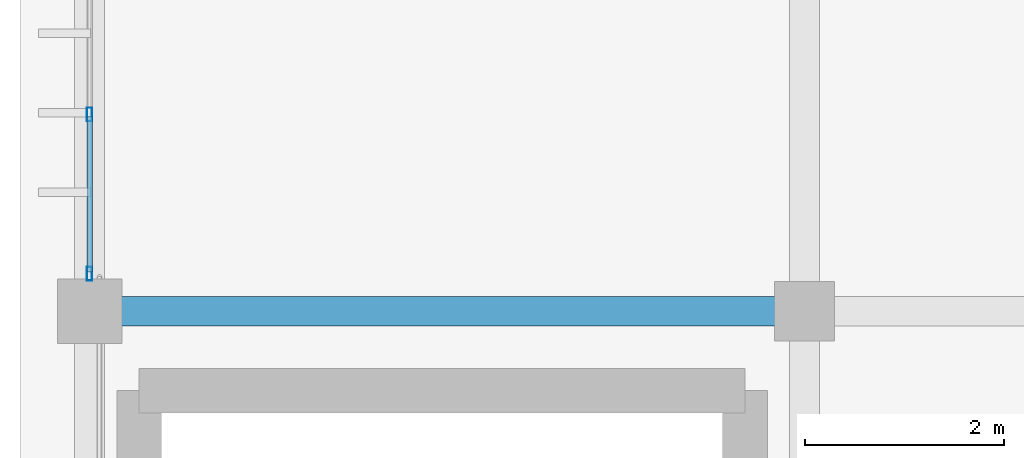
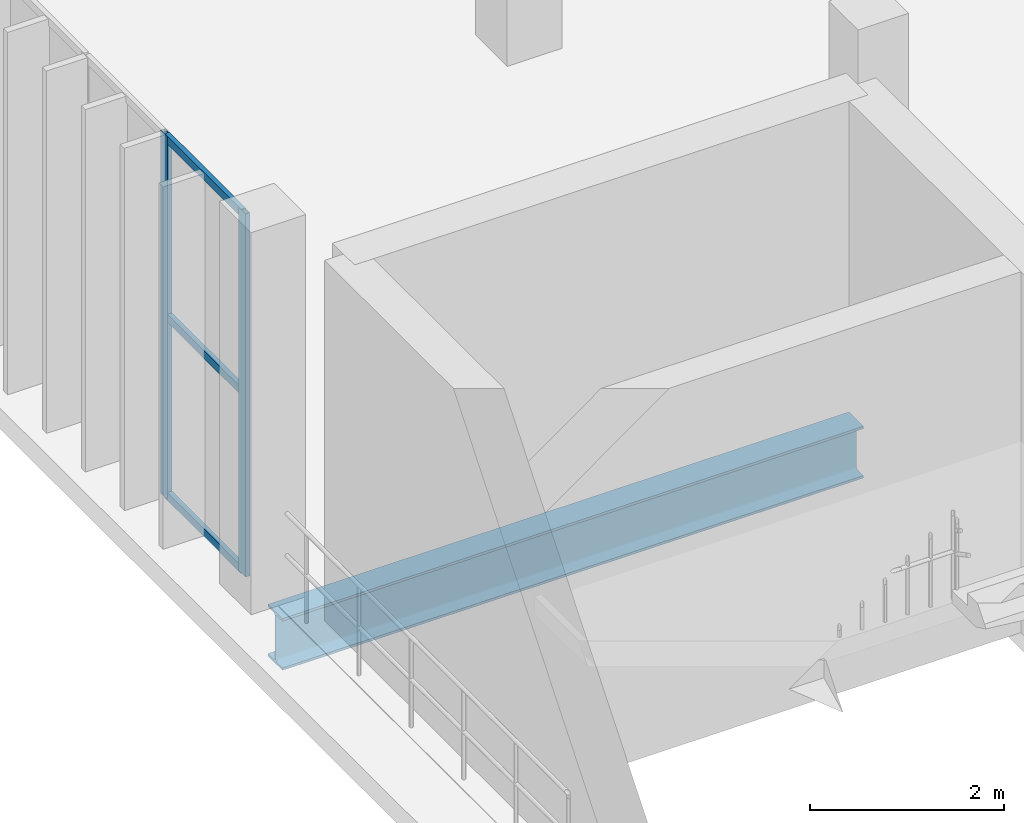
# One storey, part 39 of 105: 5 members, 1 beam, 1 element without a shape of its own.
"""IFC4 building model written with IfcOpenShell, lengths in metres."""

from ifc_helpers import new_model, si_unit, direction, frame, origin, origin_2d, place, context, subcontext, project, spatial, hollow_rectangle, i_section, extrude, material, material_profile, profile_set, type_object, element, aggregate, save


model = new_model("IFC4")

# Units and contexts
model_context = context("Model", 3, precision=1e-05, world=origin(), true_north=direction((0.0, 1.0)))
body_context = subcontext(model_context, "Body", "Model", "MODEL_VIEW")
ifc_project = project(units=[si_unit("LENGTHUNIT", "METRE"), si_unit("AREAUNIT", "SQUARE_METRE"), si_unit("VOLUMEUNIT", "CUBIC_METRE"), si_unit("PLANEANGLEUNIT", "RADIAN"), si_unit("MASSUNIT", "GRAM", prefix="KILO")], contexts=[model_context])

# Site, building, storey
site_placement = place(None, origin())
site = spatial("IfcSite", under=ifc_project, at=site_placement, CompositionType="ELEMENT")
building_placement = place(site_placement, origin())
building = spatial("IfcBuilding", under=site, at=building_placement, Name="Qandorah Velis Arena", CompositionType="ELEMENT")
storey_placement = place(building_placement, frame((0.0, 0.0, 13.800048828125)))
storey = spatial("IfcBuildingStorey", under=building, at=storey_placement, Name="L03", CompositionType="ELEMENT", Elevation=13.800048828125)

# Curtain wall, members
ifc_material_1 = material(Name="Solar-control low-E double glazing", Category="glass")
curtain_wall_type = type_object("IfcCurtainWallType", Name="ARC-CW-SYS04", PredefinedType="USERDEFINED", material=ifc_material_1)
curtain_wall_placement = place(storey_placement, origin())
curtain_wall = element("IfcCurtainWall", 1, at=curtain_wall_placement, inside=storey, type_object=curtain_wall_type, Name="Unitised curtain wall L03-028", ObjectType="UNITISED CURTAIN WALL", PredefinedType="USERDEFINED")
ifc_material_2 = material(Name="Champagne-bronze anodized aluminium 6063-T6", Category="aluminium")
ifc_material_profile_1 = material_profile(ifc_material_2, hollow_rectangle(XDim=0.054931640625, YDim=0.139892578125, WallThickness=0.0029296875, at=origin_2d()), Name="ALU MULLION 55x140")
ifc_profile_set_1 = profile_set([ifc_material_profile_1], Name="Champagne-bronze anodized aluminium 6063-T6")
member_type_1 = type_object("IfcMemberType", Name="ARC-CWM-140", PredefinedType="MULLION", material=ifc_profile_set_1)
member_1_placement = place(storey_placement, frame((0.0, 93.9775390625, -0.01513671875), z_axis=(0.0, 0.0, 1.0), x_axis=(-1.0, 0.0, 0.0)))
member_1 = element("IfcMember", 2, at=member_1_placement, type_object=member_type_1, Name="CW04 mullion 1", PredefinedType="MULLION", context=body_context, shape_type="SweptSolid", body=[
    extrude(hollow_rectangle(XDim=0.054931640625, YDim=0.139892578125, WallThickness=0.0029296875, at=origin_2d()), origin(), (0.0, 0.0, 1.0), 4.56005859375),
])
member_2_placement = place(storey_placement, frame((0.0, 95.581298828125, -0.01513671875), z_axis=(0.0, 0.0, 1.0), x_axis=(-1.0, 0.0, 0.0)))
member_2 = element("IfcMember", 3, at=member_2_placement, type_object=member_type_1, Name="CW04 mullion 2", PredefinedType="MULLION", context=body_context, shape_type="SweptSolid", body=[
    extrude(hollow_rectangle(XDim=0.054931640625, YDim=0.139892578125, WallThickness=0.0029296875, at=origin_2d()), origin(), (0.0, 0.0, 1.0), 4.56005859375),
])
ifc_material_profile_2 = material_profile(ifc_material_2, hollow_rectangle(XDim=0.054931640625, YDim=0.10009765625, WallThickness=0.0029296875, at=origin_2d()), Name="ALU TRANSOM 55x100")
ifc_profile_set_2 = profile_set([ifc_material_profile_2], Name="Champagne-bronze anodized aluminium 6063-T6")
member_type_2 = type_object("IfcMemberType", Name="ARC-CWT-100", PredefinedType="USERDEFINED", material=ifc_profile_set_2)
member_3_placement = place(storey_placement, frame((0.0, 93.992919921875, 0.02734375), z_axis=(0.0, 1.0, 0.0), x_axis=(-1.0, 0.0, 0.0)))
member_3 = element("IfcMember", 4, at=member_3_placement, type_object=member_type_2, Name="CW04 transom 1.1", ObjectType="TRANSOM", PredefinedType="USERDEFINED", context=body_context, shape_type="SweptSolid", body=[
    extrude(hollow_rectangle(XDim=0.054931640625, YDim=0.10009765625, WallThickness=0.0029296875, at=origin_2d()), origin(), (0.0, 0.0, 1.0), 1.57275390625),
])
member_4_placement = place(storey_placement, frame((0.0, 93.992919921875, 2.264892578125), z_axis=(0.0, 1.0, 0.0), x_axis=(-1.0, 0.0, 0.0)))
member_4 = element("IfcMember", 5, at=member_4_placement, type_object=member_type_2, Name="CW04 transom 1.2", ObjectType="TRANSOM", PredefinedType="USERDEFINED", context=body_context, shape_type="SweptSolid", body=[
    extrude(hollow_rectangle(XDim=0.054931640625, YDim=0.10009765625, WallThickness=0.0029296875, at=origin_2d()), origin(), (0.0, 0.0, 1.0), 1.57275390625),
])
member_5_placement = place(storey_placement, frame((0.0, 93.992919921875, 4.50244140625), z_axis=(0.0, 1.0, 0.0), x_axis=(-1.0, 0.0, 0.0)))
member_5 = element("IfcMember", 6, at=member_5_placement, type_object=member_type_2, Name="CW04 transom 1.3", ObjectType="TRANSOM", PredefinedType="USERDEFINED", context=body_context, shape_type="SweptSolid", body=[
    extrude(hollow_rectangle(XDim=0.054931640625, YDim=0.10009765625, WallThickness=0.0029296875, at=origin_2d()), origin(), (0.0, 0.0, 1.0), 1.57275390625),
])
aggregate(curtain_wall, [member_1, member_2, member_3, member_4, member_5])

# Beam
ifc_material_3 = material(Name="Steel S355", Category="steel")
ifc_material_profile_3 = material_profile(ifc_material_3, i_section(OverallWidth=0.300048828125, OverallDepth=0.64990234375, WebThickness=0.01611328125, FlangeThickness=0.031005859375, FilletRadius=0.027099609375, at=origin_2d()), Name="HEB 650")
ifc_profile_set_3 = profile_set([ifc_material_profile_3], Name="Steel S355")
beam_type = type_object("IfcBeamType", Name="STR-BM-HEB650", PredefinedType="BEAM", material=ifc_profile_set_3)
beam_placement = place(storey_placement, frame((0.14990234375, 93.60009765625, -0.64501953125), z_axis=(1.0, 0.0, 0.0), x_axis=(0.0, 1.0, 0.0)))
element("IfcBeam", 7, at=beam_placement, inside=storey, type_object=beam_type, Name="Primary floor girder L03 X-111", PredefinedType="BEAM", context=body_context, shape_type="SweptSolid", body=[
    extrude(i_section(OverallWidth=0.300048828125, OverallDepth=0.64990234375, WebThickness=0.01611328125, FlangeThickness=0.031005859375, FilletRadius=0.027099609375, at=origin_2d()), origin(), (0.0, 0.0, 1.0), 6.900146484375),
])

save(model, "model.ifc")
